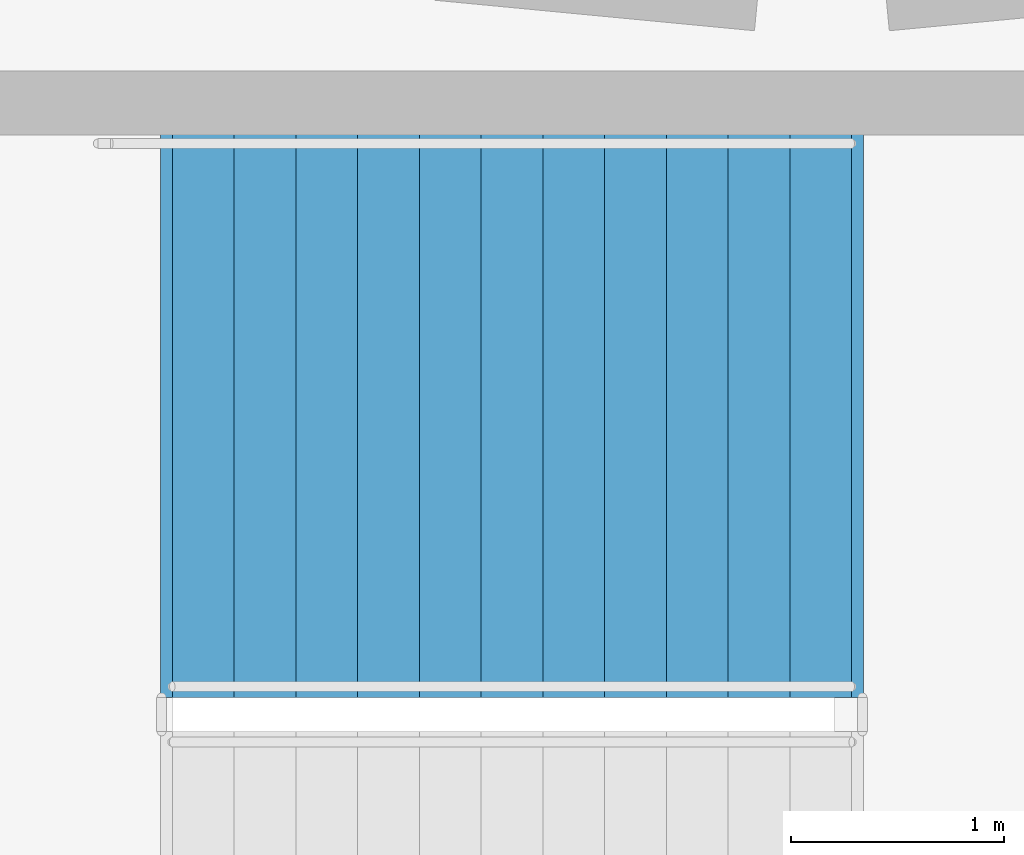
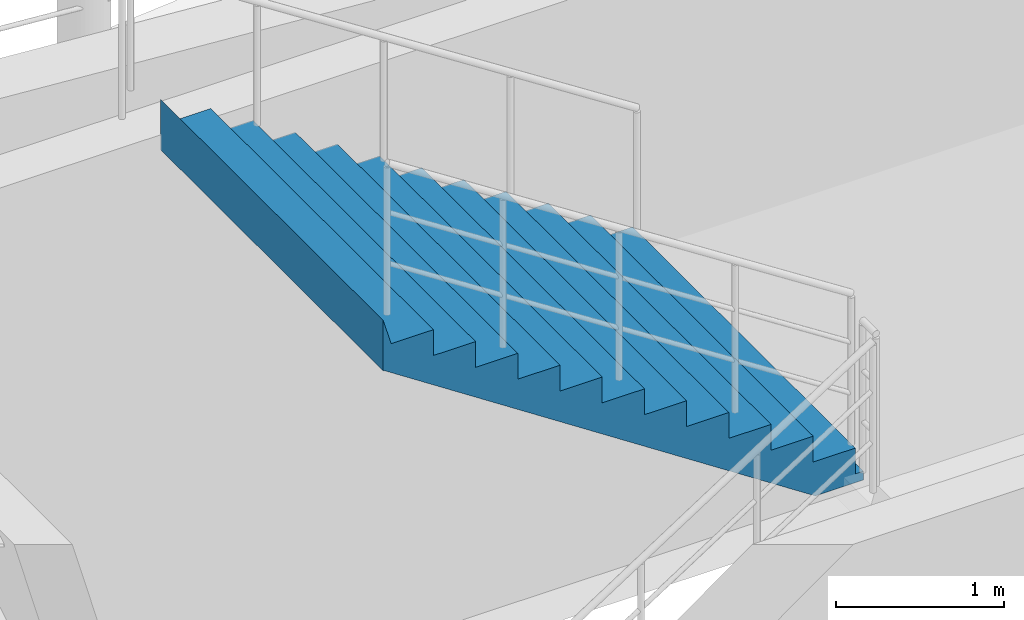
# One storey, part 93 of 112: 1 stair flight, 1 element without a shape of its own.
"""IFC4 building model written with IfcOpenShell, lengths in metres."""

from ifc_helpers import new_model, si_unit, direction, frame, origin, place, context, subcontext, project, spatial, polyline, outline, extrude, material, type_object, element, aggregate, save


model = new_model("IFC4")

# Units and contexts
model_context = context("Model", 3, precision=1e-05, world=origin(), true_north=direction((0.0, 1.0)))
body_context = subcontext(model_context, "Body", "Model", "MODEL_VIEW")
ifc_project = project(units=[si_unit("LENGTHUNIT", "METRE"), si_unit("AREAUNIT", "SQUARE_METRE"), si_unit("VOLUMEUNIT", "CUBIC_METRE"), si_unit("PLANEANGLEUNIT", "RADIAN"), si_unit("MASSUNIT", "GRAM", prefix="KILO")], contexts=[model_context])

# Site, building, storey
site_placement = place(None, origin())
site = spatial("IfcSite", under=ifc_project, at=site_placement, CompositionType="ELEMENT")
building_placement = place(site_placement, origin())
building = spatial("IfcBuilding", under=site, at=building_placement, Name="Cinderbank Siding Concert Hall", CompositionType="ELEMENT")
storey_placement = place(building_placement, frame((0.0, 0.0, 10.199951171875)))
storey = spatial("IfcBuildingStorey", under=building, at=storey_placement, Name="L03", CompositionType="ELEMENT", Elevation=10.199951171875)

# Stair, stair flight
ifc_material = material(Name="Reinforced concrete AS 3600 N50 (50 MPa)", Category="concrete")
stair_type = type_object("IfcStairType", Name="STR-A Dogleg Exit Stair 2650mm", PredefinedType="HALF_TURN_STAIR", material=ifc_material)
stair_placement = place(storey_placement, origin())
stair = element("IfcStair", 1, at=stair_placement, inside=storey, type_object=stair_type, Name="L03 Fire-isolated Exit Stair ST-02", PredefinedType="HALF_TURN_STAIR")
stair_flight_type = type_object("IfcStairFlightType", Name="SFL-A Concrete Stair Flight 2650mm", PredefinedType="STRAIGHT", material=ifc_material)
stair_flight_placement = place(storey_placement, frame((122.139892578125, 27.8349609375, 2.25), z_axis=(0.0, 0.0, 1.0), x_axis=(-1.0, 0.0, 0.0)))
stair_flight = element("IfcStairFlight", 2, at=stair_flight_placement, type_object=stair_flight_type, Name="ST-02 flight 2", NumberOfRisers=12, NumberOfTreads=11, PredefinedType="STRAIGHT", RiserHeight=0.1875, TreadLength=0.29, context=body_context, shape_type="SweptSolid", body=[
    extrude(outline(polyline([(0.0, 0.0), (0.0, 0.1875), (0.2900390625, 0.1875), (0.2900390625, 0.375), (0.580078125, 0.375), (0.580078125, 0.5625), (0.8701171875, 0.5625), (0.8701171875, 0.75), (1.159912109375, 0.75), (1.159912109375, 0.9375), (1.449951171875, 0.9375), (1.449951171875, 1.125), (1.739990234375, 1.125), (1.739990234375, 1.3125), (2.030029296875, 1.3125), (2.030029296875, 1.5), (2.320068359375, 1.5), (2.320068359375, 1.6875), (2.610107421875, 1.6875), (2.610107421875, 1.875), (2.89990234375, 1.875), (2.89990234375, 2.0625), (3.18994140625, 2.0625), (3.244873046875, 2.25), (3.244873046875, 1.884033203125), (3.24462890625, 1.88427734375), (3.24462890625, 1.884521484375), (3.24462890625, 1.884765625), (3.24462890625, 1.885009765625), (3.24462890625, 1.88525390625), (3.24462890625, 1.885498046875), (3.24462890625, 1.8857421875), (3.24462890625, 1.885986328125), (3.24462890625, 1.88623046875), (3.24462890625, 1.886474609375), (3.24462890625, 1.88671875), (3.24462890625, 1.886962890625), (3.244384765625, 1.886962890625), (3.244384765625, 1.88671875), (3.244384765625, 1.886474609375), (3.244384765625, 1.88623046875), (3.244384765625, 1.885986328125), (3.244384765625, 1.8857421875), (3.244384765625, 1.885498046875), (3.244384765625, 1.88525390625), (3.244384765625, 1.885009765625), (3.244384765625, 1.884765625), (3.244384765625, 1.884521484375), (3.244384765625, 1.88427734375), (3.244384765625, 1.884033203125), (3.244140625, 1.88427734375), (3.244140625, 1.884521484375), (3.244140625, 1.884765625), (3.244140625, 1.885009765625), (3.244140625, 1.88525390625), (3.244140625, 1.885498046875), (3.244140625, 1.8857421875), (3.244140625, 1.885986328125), (3.244140625, 1.88623046875), (3.244140625, 1.886474609375), (3.244140625, 1.88671875), (3.244140625, 1.886962890625), (3.243896484375, 1.886962890625), (3.243896484375, 1.88671875), (3.243896484375, 1.886474609375), (3.243896484375, 1.88623046875), (3.243896484375, 1.885986328125), (3.243896484375, 1.8857421875), (3.243896484375, 1.885498046875), (3.243896484375, 1.88525390625), (3.243896484375, 1.885009765625), (3.243896484375, 1.884765625), (3.243896484375, 1.884521484375), (3.243896484375, 1.88427734375), (3.243896484375, 1.884033203125), (3.24365234375, 1.88427734375), (3.24365234375, 1.884521484375), (3.24365234375, 1.884765625), (3.24365234375, 1.885009765625), (3.24365234375, 1.88525390625), (3.24365234375, 1.885498046875), (3.24365234375, 1.8857421875), (3.24365234375, 1.885986328125), (3.24365234375, 1.88623046875), (3.24365234375, 1.886474609375), (3.24365234375, 1.88671875), (3.24365234375, 1.886962890625), (3.243408203125, 1.886962890625), (3.243408203125, 1.88671875), (3.243408203125, 1.886474609375), (3.243408203125, 1.88623046875), (3.243408203125, 1.885986328125), (3.243408203125, 1.8857421875), (3.243408203125, 1.885498046875), (3.243408203125, 1.88525390625), (3.243408203125, 1.885009765625), (3.243408203125, 1.884765625), (3.243408203125, 1.884521484375), (3.243408203125, 1.88427734375), (3.243408203125, 1.884033203125), (3.2431640625, 1.88427734375), (3.2431640625, 1.884521484375), (3.2431640625, 1.884765625), (3.2431640625, 1.885009765625), (3.2431640625, 1.88525390625), (3.2431640625, 1.885498046875), (3.2431640625, 1.8857421875), (3.2431640625, 1.885986328125), (3.2431640625, 1.88623046875), (3.2431640625, 1.886474609375), (3.2431640625, 1.88671875), (3.2431640625, 1.886962890625), (3.242919921875, 1.886962890625), (3.242919921875, 1.88671875), (3.242919921875, 1.886474609375), (3.242919921875, 1.88623046875), (3.242919921875, 1.885986328125), (3.242919921875, 1.8857421875), (3.242919921875, 1.885498046875), (3.242919921875, 1.88525390625), (3.242919921875, 1.885009765625), (3.242919921875, 1.884765625), (3.242919921875, 1.884521484375), (3.242919921875, 1.88427734375), (3.242919921875, 1.884033203125), (3.24267578125, 1.88427734375), (3.24267578125, 1.884521484375), (3.24267578125, 1.884765625), (3.24267578125, 1.885009765625), (3.24267578125, 1.88525390625), (3.24267578125, 1.885498046875), (3.24267578125, 1.8857421875), (3.24267578125, 1.885986328125), (3.24267578125, 1.88623046875), (3.24267578125, 1.886474609375), (3.24267578125, 1.88671875), (3.24267578125, 1.886962890625), (3.242431640625, 1.886962890625), (3.242431640625, 1.88671875), (3.242431640625, 1.886474609375), (3.242431640625, 1.88623046875), (3.242431640625, 1.885986328125), (3.242431640625, 1.8857421875), (3.242431640625, 1.885498046875), (3.242431640625, 1.88525390625), (3.242431640625, 1.885009765625), (3.242431640625, 1.884765625), (3.242431640625, 1.884521484375), (3.242431640625, 1.88427734375), (3.242431640625, 1.884033203125), (3.2421875, 1.88427734375), (3.2421875, 1.884521484375), (3.2421875, 1.884765625), (3.2421875, 1.885009765625), (3.2421875, 1.88525390625), (3.2421875, 1.885498046875), (3.2421875, 1.8857421875), (3.2421875, 1.885986328125), (3.2421875, 1.88623046875), (3.2421875, 1.886474609375), (3.2421875, 1.88671875), (3.2421875, 1.886962890625), (3.241943359375, 1.886962890625), (3.241943359375, 1.88671875), (3.241943359375, 1.886474609375), (3.241943359375, 1.88623046875), (3.241943359375, 1.885986328125), (3.241943359375, 1.8857421875), (3.241943359375, 1.885498046875), (3.241943359375, 1.88525390625), (3.241943359375, 1.885009765625), (3.241943359375, 1.884765625), (3.241943359375, 1.884521484375), (3.241943359375, 1.88427734375), (3.241943359375, 1.884033203125), (3.24169921875, 1.88427734375), (3.24169921875, 1.884521484375), (3.24169921875, 1.884765625), (3.24169921875, 1.885009765625), (3.24169921875, 1.88525390625), (3.24169921875, 1.885498046875), (3.24169921875, 1.8857421875), (3.24169921875, 1.885986328125), (3.24169921875, 1.88623046875), (3.24169921875, 1.886474609375), (3.24169921875, 1.88671875), (3.24169921875, 1.886962890625), (3.241455078125, 1.886962890625), (3.241455078125, 1.88671875), (3.241455078125, 1.886474609375), (3.241455078125, 1.88623046875), (3.241455078125, 1.885986328125), (3.241455078125, 1.8857421875), (3.241455078125, 1.885498046875), (3.241455078125, 1.88525390625), (3.241455078125, 1.885009765625), (3.241455078125, 1.884765625), (3.241455078125, 1.884521484375), (3.241455078125, 1.88427734375), (3.241455078125, 1.884033203125), (3.2412109375, 1.88427734375), (3.2412109375, 1.884521484375), (3.2412109375, 1.884765625), (3.2412109375, 1.885009765625), (3.2412109375, 1.88525390625), (3.2412109375, 1.885498046875), (3.2412109375, 1.8857421875), (3.2412109375, 1.885986328125), (3.2412109375, 1.88623046875), (3.2412109375, 1.886474609375), (3.2412109375, 1.88671875), (3.2412109375, 1.886962890625), (3.240966796875, 1.886962890625), (3.240966796875, 1.88671875), (3.240966796875, 1.886474609375), (3.240966796875, 1.88623046875), (3.240966796875, 1.885986328125), (3.240966796875, 1.8857421875), (3.240966796875, 1.885498046875), (3.240966796875, 1.88525390625), (3.240966796875, 1.885009765625), (3.240966796875, 1.884765625), (3.240966796875, 1.884521484375), (3.240966796875, 1.88427734375), (3.240966796875, 1.884033203125), (3.24072265625, 1.88427734375), (3.24072265625, 1.884521484375), (3.24072265625, 1.884765625), (3.24072265625, 1.885009765625), (3.24072265625, 1.88525390625), (3.24072265625, 1.885498046875), (3.24072265625, 1.8857421875), (3.24072265625, 1.885986328125), (3.24072265625, 1.88623046875), (3.24072265625, 1.886474609375), (3.24072265625, 1.88671875), (3.24072265625, 1.886962890625), (3.240478515625, 1.886962890625), (3.240478515625, 1.88671875), (3.240478515625, 1.886474609375), (3.240478515625, 1.88623046875), (3.240478515625, 1.885986328125), (3.240478515625, 1.8857421875), (3.240478515625, 1.885498046875), (3.240478515625, 1.88525390625), (3.240478515625, 1.885009765625), (3.240478515625, 1.884765625), (3.240478515625, 1.884521484375), (3.240478515625, 1.88427734375), (3.240478515625, 1.884033203125), (3.240234375, 1.88427734375), (3.240234375, 1.884521484375), (3.240234375, 1.884765625), (3.240234375, 1.885009765625), (3.240234375, 1.88525390625), (3.240234375, 1.885498046875), (3.240234375, 1.8857421875), (3.240234375, 1.885986328125), (3.240234375, 1.88623046875), (3.240234375, 1.886474609375), (3.240234375, 1.88671875), (3.240234375, 1.886962890625), (3.239990234375, 1.886962890625), (3.239990234375, 1.88671875), (3.239990234375, 1.886474609375), (3.239990234375, 1.88623046875), (3.239990234375, 1.885986328125), (3.239990234375, 1.8857421875), (3.239990234375, 1.885498046875), (3.239990234375, 1.88525390625), (3.239990234375, 1.885009765625), (3.239990234375, 1.884765625), (3.239990234375, 1.884521484375), (3.239990234375, 1.88427734375), (3.239990234375, 1.884033203125), (3.23974609375, 1.88427734375), (3.23974609375, 1.884521484375), (3.23974609375, 1.884765625), (3.23974609375, 1.885009765625), (3.23974609375, 1.88525390625), (3.23974609375, 1.885498046875), (3.23974609375, 1.8857421875), (3.23974609375, 1.885986328125), (3.23974609375, 1.88623046875), (3.23974609375, 1.886474609375), (3.23974609375, 1.88671875), (3.23974609375, 1.886962890625), (3.239501953125, 1.886962890625), (3.239501953125, 1.88671875), (3.239501953125, 1.886474609375), (3.239501953125, 1.88623046875), (3.239501953125, 1.885986328125), (3.239501953125, 1.8857421875), (3.239501953125, 1.885498046875), (3.239501953125, 1.88525390625), (3.239501953125, 1.885009765625), (3.239501953125, 1.884765625), (3.239501953125, 1.884521484375), (3.239501953125, 1.88427734375), (3.239501953125, 1.884033203125), (3.2392578125, 1.88427734375), (3.2392578125, 1.884521484375), (3.2392578125, 1.884765625), (3.2392578125, 1.885009765625), (3.2392578125, 1.88525390625), (3.2392578125, 1.885498046875), (3.2392578125, 1.8857421875), (3.2392578125, 1.885986328125), (3.2392578125, 1.88623046875), (3.2392578125, 1.886474609375), (3.2392578125, 1.88671875), (3.2392578125, 1.886962890625), (3.239013671875, 1.886962890625), (3.239013671875, 1.88671875), (3.239013671875, 1.886474609375), (3.239013671875, 1.88623046875), (3.239013671875, 1.885986328125), (3.239013671875, 1.8857421875), (3.239013671875, 1.885498046875), (3.239013671875, 1.88525390625), (3.239013671875, 1.885009765625), (3.239013671875, 1.884765625), (3.239013671875, 1.884521484375), (3.239013671875, 1.88427734375), (3.239013671875, 1.884033203125), (3.23876953125, 1.88427734375), (3.23876953125, 1.884521484375), (3.23876953125, 1.884765625), (3.23876953125, 1.885009765625), (3.23876953125, 1.88525390625), (3.23876953125, 1.885498046875), (3.23876953125, 1.8857421875), (3.23876953125, 1.885986328125), (3.23876953125, 1.88623046875), (3.23876953125, 1.886474609375), (3.23876953125, 1.88671875), (3.23876953125, 1.886962890625), (3.238525390625, 1.886962890625), (3.238525390625, 1.88671875), (3.238525390625, 1.886474609375), (3.238525390625, 1.88623046875), (3.238525390625, 1.885986328125), (3.238525390625, 1.8857421875), (3.238525390625, 1.885498046875), (3.238525390625, 1.88525390625), (3.238525390625, 1.885009765625), (3.238525390625, 1.884765625), (3.238525390625, 1.884521484375), (3.238525390625, 1.88427734375), (3.238525390625, 1.884033203125), (0.276123046875, -0.06396484375), (-0.048583984375, -0.063720703125), (-0.048583984375, -0.0634765625), (-0.048583984375, -0.063232421875), (-0.048583984375, -0.06298828125), (-0.048583984375, -0.062744140625), (-0.048583984375, -0.0625), (-0.048583984375, -0.062255859375), (-0.048583984375, -0.06201171875), (-0.048583984375, -0.061767578125), (-0.048583984375, -0.0615234375), (-0.048583984375, -0.061279296875), (-0.048583984375, -0.06103515625), (-0.048828125, -0.06103515625), (-0.048828125, -0.061279296875), (-0.048828125, -0.0615234375), (-0.048828125, -0.061767578125), (-0.048828125, -0.06201171875), (-0.048828125, -0.062255859375), (-0.048828125, -0.0625), (-0.048828125, -0.062744140625), (-0.048828125, -0.06298828125), (-0.048828125, -0.063232421875), (-0.048828125, -0.0634765625), (-0.048828125, -0.063720703125), (-0.048828125, -0.06396484375), (-0.049072265625, -0.063720703125), (-0.049072265625, -0.0634765625), (-0.049072265625, -0.063232421875), (-0.049072265625, -0.06298828125), (-0.049072265625, -0.062744140625), (-0.049072265625, -0.0625), (-0.049072265625, -0.062255859375), (-0.049072265625, -0.06201171875), (-0.049072265625, -0.061767578125), (-0.049072265625, -0.0615234375), (-0.049072265625, -0.061279296875), (-0.049072265625, -0.06103515625), (-0.04931640625, -0.06103515625), (-0.04931640625, -0.061279296875), (-0.04931640625, -0.0615234375), (-0.04931640625, -0.061767578125), (-0.04931640625, -0.06201171875), (-0.04931640625, -0.062255859375), (-0.04931640625, -0.0625), (-0.04931640625, -0.062744140625), (-0.04931640625, -0.06298828125), (-0.04931640625, -0.063232421875), (-0.04931640625, -0.0634765625), (-0.04931640625, -0.063720703125), (-0.04931640625, -0.06396484375), (-0.049560546875, -0.063720703125), (-0.049560546875, -0.0634765625), (-0.049560546875, -0.063232421875), (-0.049560546875, -0.06298828125), (-0.049560546875, -0.062744140625), (-0.049560546875, -0.0625), (-0.049560546875, -0.062255859375), (-0.049560546875, -0.06201171875), (-0.049560546875, -0.061767578125), (-0.049560546875, -0.0615234375), (-0.049560546875, -0.061279296875), (-0.049560546875, -0.06103515625), (-0.0498046875, -0.06103515625), (-0.0498046875, -0.061279296875), (-0.0498046875, -0.0615234375), (-0.0498046875, -0.061767578125), (-0.0498046875, -0.06201171875), (-0.0498046875, -0.062255859375), (-0.0498046875, -0.0625), (-0.0498046875, -0.062744140625), (-0.0498046875, -0.06298828125), (-0.0498046875, -0.063232421875), (-0.0498046875, -0.0634765625), (-0.0498046875, -0.063720703125), (-0.0498046875, -0.06396484375), (-0.050048828125, -0.063720703125), (-0.050048828125, -0.0634765625), (-0.050048828125, -0.063232421875), (-0.050048828125, -0.06298828125), (-0.050048828125, -0.062744140625), (-0.050048828125, -0.0625), (-0.050048828125, -0.062255859375), (-0.050048828125, -0.06201171875), (-0.050048828125, -0.061767578125), (-0.050048828125, -0.0615234375), (-0.050048828125, -0.061279296875), (-0.050048828125, -0.06103515625), (-0.05029296875, -0.06103515625), (-0.05029296875, -0.061279296875), (-0.05029296875, -0.0615234375), (-0.05029296875, -0.061767578125), (-0.05029296875, -0.06201171875), (-0.05029296875, -0.062255859375), (-0.05029296875, -0.0625), (-0.05029296875, -0.062744140625), (-0.05029296875, -0.06298828125), (-0.05029296875, -0.063232421875), (-0.05029296875, -0.0634765625), (-0.05029296875, -0.063720703125), (-0.05029296875, -0.06396484375), (-0.050537109375, -0.063720703125), (-0.050537109375, -0.0634765625), (-0.050537109375, -0.063232421875), (-0.050537109375, -0.06298828125), (-0.050537109375, -0.062744140625), (-0.050537109375, -0.0625), (-0.050537109375, -0.062255859375), (-0.050537109375, -0.06201171875), (-0.050537109375, -0.061767578125), (-0.050537109375, -0.0615234375), (-0.050537109375, -0.061279296875), (-0.050537109375, -0.06103515625), (-0.05078125, -0.06103515625), (-0.05078125, -0.061279296875), (-0.05078125, -0.0615234375), (-0.05078125, -0.061767578125), (-0.05078125, -0.06201171875), (-0.05078125, -0.062255859375), (-0.05078125, -0.0625), (-0.05078125, -0.062744140625), (-0.05078125, -0.06298828125), (-0.05078125, -0.063232421875), (-0.05078125, -0.0634765625), (-0.05078125, -0.063720703125), (-0.05078125, -0.06396484375), (-0.051025390625, -0.063720703125), (-0.051025390625, -0.0634765625), (-0.051025390625, -0.063232421875), (-0.051025390625, -0.06298828125), (-0.051025390625, -0.062744140625), (-0.051025390625, -0.0625), (-0.051025390625, -0.062255859375), (-0.051025390625, -0.06201171875), (-0.051025390625, -0.061767578125), (-0.051025390625, -0.0615234375), (-0.051025390625, -0.061279296875), (-0.051025390625, -0.06103515625), (-0.05126953125, -0.06103515625), (-0.05126953125, -0.061279296875), (-0.05126953125, -0.0615234375), (-0.05126953125, -0.061767578125), (-0.05126953125, -0.06201171875), (-0.05126953125, -0.062255859375), (-0.05126953125, -0.0625), (-0.05126953125, -0.062744140625), (-0.05126953125, -0.06298828125), (-0.05126953125, -0.063232421875), (-0.05126953125, -0.0634765625), (-0.05126953125, -0.063720703125), (-0.05126953125, -0.06396484375), (-0.051513671875, -0.063720703125), (-0.051513671875, -0.0634765625), (-0.051513671875, -0.063232421875), (-0.051513671875, -0.06298828125), (-0.051513671875, -0.062744140625), (-0.051513671875, -0.0625), (-0.051513671875, -0.062255859375), (-0.051513671875, -0.06201171875), (-0.051513671875, -0.061767578125), (-0.051513671875, -0.0615234375), (-0.051513671875, -0.061279296875), (-0.051513671875, -0.06103515625), (-0.0517578125, -0.06103515625), (-0.0517578125, -0.061279296875), (-0.0517578125, -0.0615234375), (-0.0517578125, -0.061767578125), (-0.0517578125, -0.06201171875), (-0.0517578125, -0.062255859375), (-0.0517578125, -0.0625), (-0.0517578125, -0.062744140625), (-0.0517578125, -0.06298828125), (-0.0517578125, -0.063232421875), (-0.0517578125, -0.0634765625), (-0.0517578125, -0.063720703125), (-0.0517578125, -0.06396484375), (-0.052001953125, -0.063720703125), (-0.052001953125, -0.0634765625), (-0.052001953125, -0.063232421875), (-0.052001953125, -0.06298828125), (-0.052001953125, -0.062744140625), (-0.052001953125, -0.0625), (-0.052001953125, -0.062255859375), (-0.052001953125, -0.06201171875), (-0.052001953125, -0.061767578125), (-0.052001953125, -0.0615234375), (-0.052001953125, -0.061279296875), (-0.052001953125, -0.06103515625), (-0.05224609375, -0.06103515625), (-0.05224609375, -0.061279296875), (-0.05224609375, -0.0615234375), (-0.05224609375, -0.061767578125), (-0.05224609375, -0.06201171875), (-0.05224609375, -0.062255859375), (-0.05224609375, -0.0625), (-0.05224609375, -0.062744140625), (-0.05224609375, -0.06298828125), (-0.05224609375, -0.063232421875), (-0.05224609375, -0.0634765625), (-0.05224609375, -0.063720703125), (-0.05224609375, -0.06396484375), (-0.052490234375, -0.063720703125), (-0.052490234375, -0.0634765625), (-0.052490234375, -0.063232421875), (-0.052490234375, -0.06298828125), (-0.052490234375, -0.062744140625), (-0.052490234375, -0.0625), (-0.052490234375, -0.062255859375), (-0.052490234375, -0.06201171875), (-0.052490234375, -0.061767578125), (-0.052490234375, -0.0615234375), (-0.052490234375, -0.061279296875), (-0.052490234375, -0.06103515625), (-0.052734375, -0.06103515625), (-0.052734375, -0.061279296875), (-0.052734375, -0.0615234375), (-0.052734375, -0.061767578125), (-0.052734375, -0.06201171875), (-0.052734375, -0.062255859375), (-0.052734375, -0.0625), (-0.052734375, -0.062744140625), (-0.052734375, -0.06298828125), (-0.052734375, -0.063232421875), (-0.052734375, -0.0634765625), (-0.052734375, -0.063720703125), (-0.052734375, -0.06396484375), (-0.052978515625, -0.063720703125), (-0.052978515625, -0.0634765625), (-0.052978515625, -0.063232421875), (-0.052978515625, -0.06298828125), (-0.052978515625, -0.062744140625), (-0.052978515625, -0.0625), (-0.052978515625, -0.062255859375), (-0.052978515625, -0.06201171875), (-0.052978515625, -0.061767578125), (-0.052978515625, -0.0615234375), (-0.052978515625, -0.061279296875), (-0.052978515625, -0.06103515625), (-0.05322265625, -0.06103515625), (-0.05322265625, -0.061279296875), (-0.05322265625, -0.0615234375), (-0.05322265625, -0.061767578125), (-0.05322265625, -0.06201171875), (-0.05322265625, -0.062255859375), (-0.05322265625, -0.0625), (-0.05322265625, -0.062744140625), (-0.05322265625, -0.06298828125), (-0.05322265625, -0.063232421875), (-0.05322265625, -0.0634765625), (-0.05322265625, -0.063720703125), (-0.05322265625, -0.06396484375), (-0.053466796875, -0.063720703125), (-0.053466796875, -0.0634765625), (-0.053466796875, -0.063232421875), (-0.053466796875, -0.06298828125), (-0.053466796875, -0.062744140625), (-0.053466796875, -0.0625), (-0.053466796875, -0.062255859375), (-0.053466796875, -0.06201171875), (-0.053466796875, -0.061767578125), (-0.053466796875, -0.0615234375), (-0.053466796875, -0.061279296875), (-0.053466796875, -0.06103515625), (-0.0537109375, -0.06103515625), (-0.0537109375, -0.061279296875), (-0.0537109375, -0.0615234375), (-0.0537109375, -0.061767578125), (-0.0537109375, -0.06201171875), (-0.0537109375, -0.062255859375), (-0.0537109375, -0.0625), (-0.0537109375, -0.062744140625), (-0.0537109375, -0.06298828125), (-0.0537109375, -0.063232421875), (-0.0537109375, -0.0634765625), (-0.0537109375, -0.063720703125), (-0.0537109375, -0.06396484375), (-0.053955078125, -0.063720703125), (-0.053955078125, -0.0634765625), (-0.053955078125, -0.063232421875), (-0.053955078125, -0.06298828125), (-0.053955078125, -0.062744140625), (-0.053955078125, -0.0625), (-0.053955078125, -0.062255859375), (-0.053955078125, -0.06201171875), (-0.053955078125, -0.061767578125), (-0.053955078125, -0.0615234375), (-0.053955078125, -0.061279296875), (-0.053955078125, -0.06103515625), (-0.05419921875, -0.06103515625), (-0.05419921875, -0.061279296875), (-0.05419921875, -0.0615234375), (-0.05419921875, -0.061767578125), (-0.05419921875, -0.06201171875), (-0.05419921875, -0.062255859375), (-0.05419921875, -0.0625), (-0.05419921875, -0.062744140625), (-0.05419921875, -0.06298828125), (-0.05419921875, -0.063232421875), (-0.05419921875, -0.0634765625), (-0.05419921875, -0.063720703125), (-0.05419921875, -0.06396484375), (-0.054443359375, -0.063720703125), (-0.054443359375, -0.0634765625), (-0.054443359375, -0.063232421875), (-0.054443359375, -0.06298828125), (-0.054443359375, -0.062744140625), (-0.054443359375, -0.0625), (-0.054443359375, -0.062255859375), (-0.054443359375, -0.06201171875), (-0.054443359375, -0.061767578125), (-0.054443359375, -0.0615234375), (-0.054443359375, -0.061279296875), (-0.054443359375, -0.06103515625), (-0.0546875, -0.06103515625), (-0.0546875, -0.061279296875), (-0.0546875, -0.0615234375), (-0.0546875, -0.061767578125), (-0.0546875, -0.06201171875), (-0.0546875, -0.062255859375), (-0.0546875, -0.0625), (-0.0546875, -0.062744140625), (-0.0546875, -0.06298828125), (-0.0546875, -0.063232421875), (-0.0546875, -0.0634765625), (-0.0546875, -0.063720703125), (-0.0546875, -0.06396484375), (-0.054931640625, -0.06396484375), (-0.054931640625, 0.0), (0.0, 0.0)])), frame((0.0, 1.324951171875, 0.0), z_axis=(0.0, -1.0, 0.0), x_axis=(1.0, 0.0, 0.0)), (0.0, 0.0, 1.0), 2.64990234375),
])
aggregate(stair, [stair_flight])

save(model, "model.ifc")
